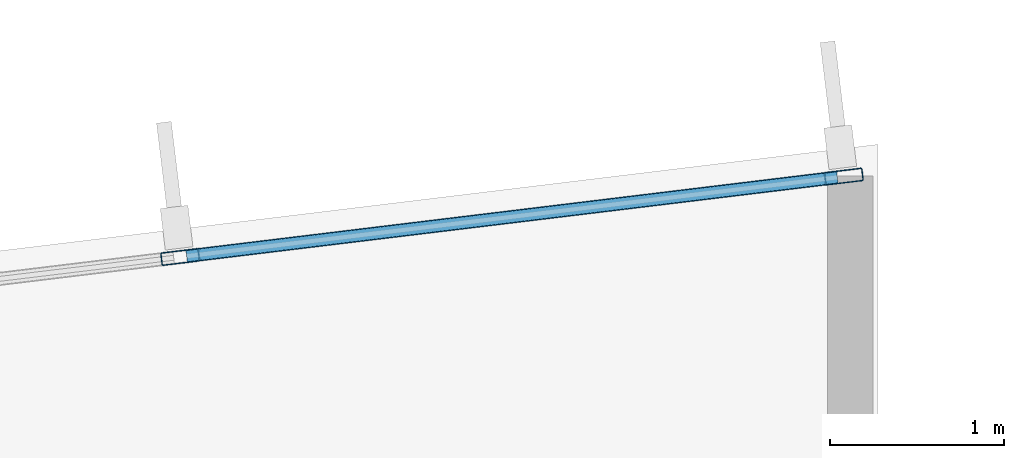
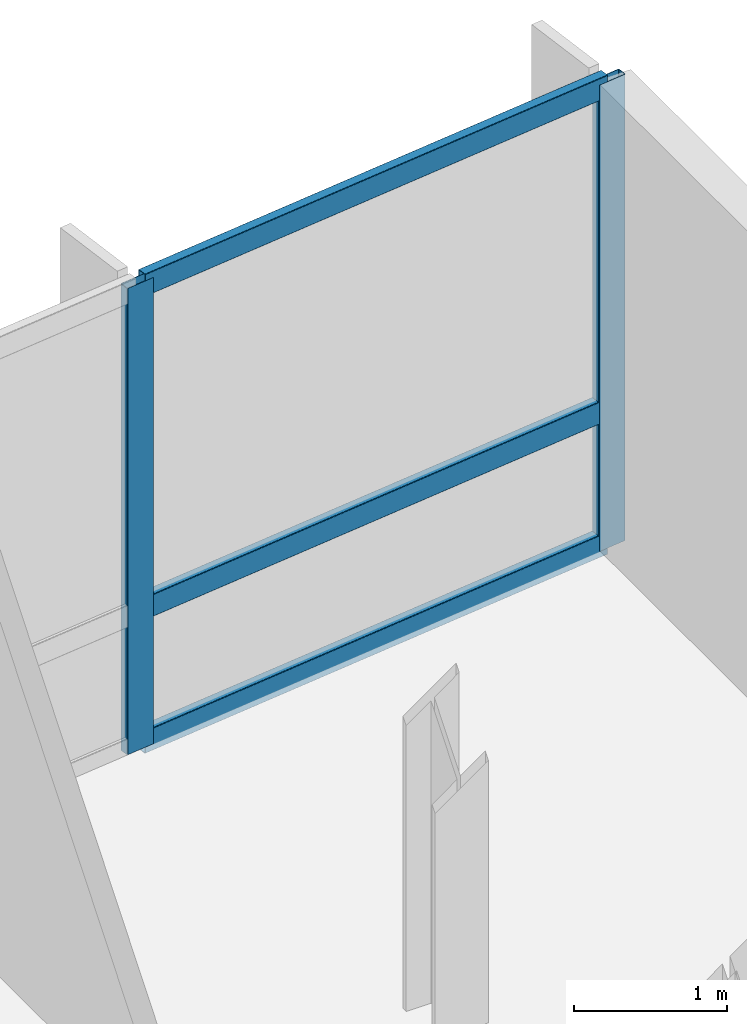
# One storey, part 7 of 17: 5 members, 1 element without a shape of its own.
"""IFC4 building model written with IfcOpenShell, lengths in metres."""

from ifc_helpers import new_model, si_unit, direction, frame, origin, origin_2d, place, context, subcontext, project, spatial, hollow_rectangle, extrude, material, layer, layer_set, material_profile, profile_set, type_object, element, aggregate, save


model = new_model("IFC4")

# Units and contexts
model_context = context("Model", 3, precision=1e-05, world=origin(), true_north=direction((0.0, 1.0)))
body_context = subcontext(model_context, "Body", "Model", "MODEL_VIEW")
ifc_project = project(units=[si_unit("LENGTHUNIT", "METRE"), si_unit("AREAUNIT", "SQUARE_METRE"), si_unit("VOLUMEUNIT", "CUBIC_METRE"), si_unit("PLANEANGLEUNIT", "RADIAN"), si_unit("MASSUNIT", "GRAM", prefix="KILO")], contexts=[model_context])

# Site, building, storey
site_placement = place(None, origin())
site = spatial("IfcSite", under=ifc_project, at=site_placement, CompositionType="ELEMENT")
building_placement = place(site_placement, origin())
building = spatial("IfcBuilding", under=site, at=building_placement, Name="Varnakote Quay Hospital", CompositionType="ELEMENT")
storey_placement = place(building_placement, frame((0.0, 0.0, 111.25)))
storey = spatial("IfcBuildingStorey", under=building, at=storey_placement, Name="L27", CompositionType="ELEMENT", Elevation=111.25)

# Curtain wall, members
ifc_material_1 = material(Name="Anodised aluminium 6063-T6 Bronze", Category="aluminium")
ifc_layer = layer(ifc_material_1, 0.205078125)
ifc_layer_set = layer_set([ifc_layer], Name="Anodised aluminium 6063-T6 Bronze")
curtain_wall_type = type_object("IfcCurtainWallType", Name="CW-SYS-3", PredefinedType="NOTDEFINED", material=ifc_layer_set)
curtain_wall_placement = place(storey_placement, origin())
curtain_wall = element("IfcCurtainWall", 1, at=curtain_wall_placement, inside=storey, type_object=curtain_wall_type, Name="L27 Unitised Bronze Curtain Wall 1", PredefinedType="NOTDEFINED")
ifc_material_2 = material(Name="Anodised aluminium 6063-T6 Bronze", Category="aluminium")
ifc_material_profile_1 = material_profile(ifc_material_2, hollow_rectangle(XDim=0.074951171875, YDim=0.219970703125, WallThickness=0.00439453125, InnerFilletRadius=0.00439453125, OuterFilletRadius=0.009033203125, at=origin_2d()), Name="CW-MULL-220x75")
ifc_profile_set_1 = profile_set([ifc_material_profile_1], Name="Anodised aluminium 6063-T6 Bronze")
member_type_1 = type_object("IfcMemberType", Name="CW-MULL-220x75", PredefinedType="MULLION", material=ifc_profile_set_1)
member_1_placement = place(storey_placement, frame((54.002685546875, 32.914794921875, 0.0), z_axis=(0.0, 0.0, 1.0), x_axis=(0.12032713492, -0.992734295067, 0.0)))
member_1 = element("IfcMember", 2, at=member_1_placement, type_object=member_type_1, Name="-3-L27-1 mullion 1", PredefinedType="MULLION", context=body_context, shape_type="SweptSolid", body=[
    extrude(hollow_rectangle(XDim=0.074951171875, YDim=0.219970703125, WallThickness=0.00439453125, InnerFilletRadius=0.00439453125, OuterFilletRadius=0.009033203125, at=origin_2d()), origin(), (0.0, 0.0, 1.0), 3.7099609375),
])
member_2_placement = place(storey_placement, frame((50.1875, 32.452392578125, 0.0), z_axis=(0.0, 0.0, 1.0), x_axis=(0.12032713492, -0.992734295067, 0.0)))
member_2 = element("IfcMember", 3, at=member_2_placement, type_object=member_type_1, Name="-3-L27-1 mullion 2", PredefinedType="MULLION", context=body_context, shape_type="SweptSolid", body=[
    extrude(hollow_rectangle(XDim=0.074951171875, YDim=0.219970703125, WallThickness=0.00439453125, InnerFilletRadius=0.00439453125, OuterFilletRadius=0.009033203125, at=origin_2d()), origin(), (0.0, 0.0, 1.0), 3.7099609375),
])
ifc_material_3 = material(Name="Anodised aluminium 6063-T6 Bronze", Category="aluminium")
ifc_material_profile_2 = material_profile(ifc_material_3, hollow_rectangle(XDim=0.074951171875, YDim=0.179931640625, WallThickness=0.004150390625, InnerFilletRadius=0.004150390625, OuterFilletRadius=0.00830078125, at=origin_2d()), Name="CW-TRAN-180x75")
ifc_profile_set_2 = profile_set([ifc_material_profile_2], Name="Anodised aluminium 6063-T6 Bronze")
member_type_2 = type_object("IfcMemberType", Name="CW-TRAN-180x75", PredefinedType="USERDEFINED", material=ifc_profile_set_2)
member_3_placement = place(storey_placement, frame((53.965576171875, 32.910400390625, 0.03759765625), z_axis=(-0.992735423717, -0.120317822859, 0.0), x_axis=(0.120317822859, -0.992735423717, 0.0)))
member_3 = element("IfcMember", 4, at=member_3_placement, type_object=member_type_2, Name="-3-L27-1 transom 1.1", ObjectType="TRANSOM", PredefinedType="USERDEFINED", context=body_context, shape_type="SweptSolid", body=[
    extrude(hollow_rectangle(XDim=0.074951171875, YDim=0.179931640625, WallThickness=0.004150390625, InnerFilletRadius=0.004150390625, OuterFilletRadius=0.00830078125, at=origin_2d()), origin(), (0.0, 0.0, 1.0), 3.76806640625),
])
member_4_placement = place(storey_placement, frame((53.965576171875, 32.910400390625, 1.10009765625), z_axis=(-0.992735423717, -0.120317822859, 0.0), x_axis=(0.120317822859, -0.992735423717, 0.0)))
member_4 = element("IfcMember", 5, at=member_4_placement, type_object=member_type_2, Name="-3-L27-1 transom 1.2", ObjectType="TRANSOM", PredefinedType="USERDEFINED", context=body_context, shape_type="SweptSolid", body=[
    extrude(hollow_rectangle(XDim=0.074951171875, YDim=0.179931640625, WallThickness=0.004150390625, InnerFilletRadius=0.004150390625, OuterFilletRadius=0.00830078125, at=origin_2d()), origin(), (0.0, 0.0, 1.0), 3.76806640625),
])
member_5_placement = place(storey_placement, frame((53.965576171875, 32.910400390625, 3.672607421875), z_axis=(-0.992735423717, -0.120317822859, 0.0), x_axis=(0.120317822859, -0.992735423717, 0.0)))
member_5 = element("IfcMember", 6, at=member_5_placement, type_object=member_type_2, Name="-3-L27-1 transom 1.3", ObjectType="TRANSOM", PredefinedType="USERDEFINED", context=body_context, shape_type="SweptSolid", body=[
    extrude(hollow_rectangle(XDim=0.074951171875, YDim=0.179931640625, WallThickness=0.004150390625, InnerFilletRadius=0.004150390625, OuterFilletRadius=0.00830078125, at=origin_2d()), origin(), (0.0, 0.0, 1.0), 3.76806640625),
])
aggregate(curtain_wall, [member_1, member_2, member_3, member_4, member_5])

save(model, "model.ifc")
